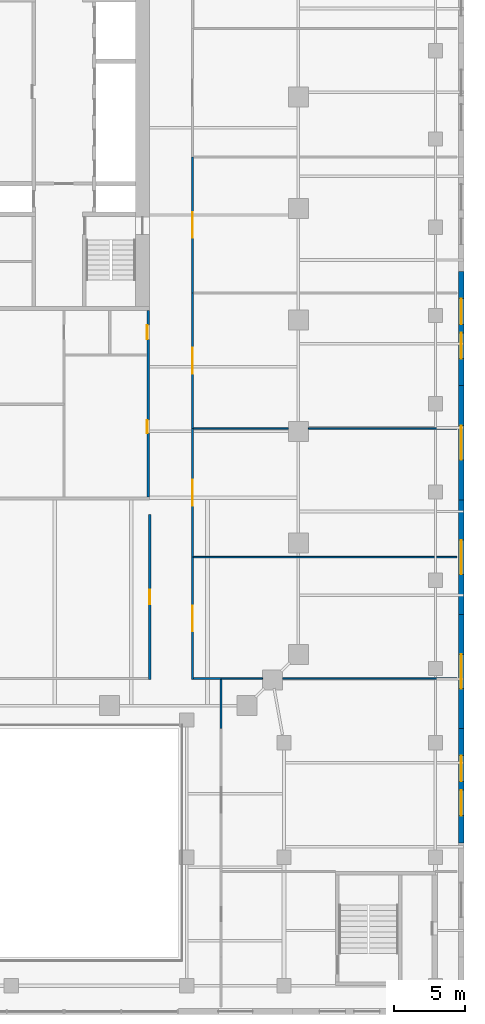
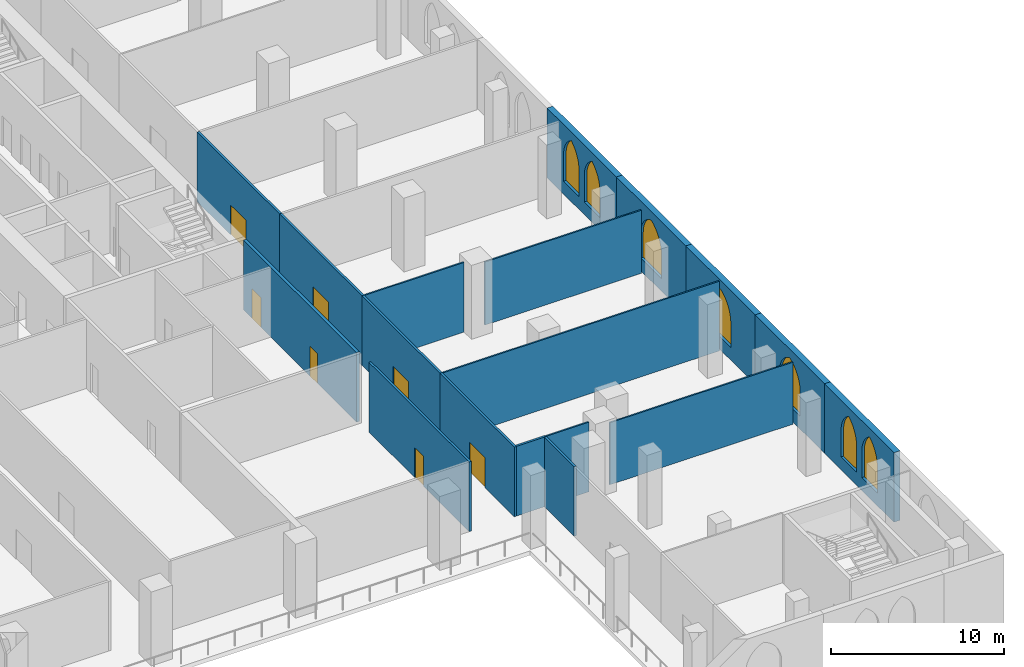
# One storey, part 14 of 22: 18 walls, 7 doors, 7 windows, 14 openings.
"""IFC4 building model written with IfcOpenShell, lengths in metres."""

import ifcopenshell
import ifcopenshell.guid

model = None  # the IFC model being written
_history = None  # IfcOwnerHistory: only IFC2X3 demands one
_inside = {}  # id of a spatial element -> (the spatial element, [elements in it])
_under = {}  # id of a project, library or spatial element -> (it, [spatial elements below it])
_declared = {}  # id of a project -> (the project, [libraries it declares])
_typed = {}  # id of a type object -> (the type object, [elements of that type])
_made_of = {}  # id of a material, layer set ... -> (it, [elements and type objects made of it])


def new_model(schema):
    """Start an empty IFC model of exactly this schema.

    Asked for "IFC4X3", IfcOpenShell would pick the latest addendum, in which some entities
    have other attributes; the version numbers below select the first issue.
    IFC2X3 requires an IfcOwnerHistory on every rooted entity: one is made here for all.
    """
    global model, _history
    if schema == "IFC4X3":
        model = ifcopenshell.file(schema_version=(4, 3, 0, 0))
    else:
        model = ifcopenshell.file(schema=schema)
    _inside.clear()
    _under.clear()
    _declared.clear()
    _typed.clear()
    _made_of.clear()
    _history = None
    if model.schema == "IFC2X3":
        org = make("IfcOrganization", Name="unknown")
        user = make(
            "IfcPersonAndOrganization",
            ThePerson=make("IfcPerson", FamilyName="unknown"),
            TheOrganization=org,
        )
        app = make(
            "IfcApplication",
            ApplicationDeveloper=org,
            Version="unknown",
            ApplicationFullName="unknown",
            ApplicationIdentifier="unknown",
        )
        _history = make(
            "IfcOwnerHistory",
            OwningUser=user,
            OwningApplication=app,
            ChangeAction="ADDED",
            CreationDate=0,
        )
    return model


def make(cls, **values):
    """One entity of the class cls with the attributes given. An attribute that is None is left unset."""
    return model.create_entity(
        cls, **{name: value for name, value in values.items() if value is not None}
    )


def rooted(cls, **values):
    """An entity with a GlobalId (a new one), such as an element, a storey or a relation."""
    return make(cls, GlobalId=ifcopenshell.guid.new(), OwnerHistory=_history, **values)


def si_unit(unit_type, name, prefix=None):
    """IfcSIUnit, for example si_unit("LENGTHUNIT", "METRE", prefix="MILLI")."""
    return make("IfcSIUnit", UnitType=unit_type, Prefix=prefix, Name=name)


def assignment(units):
    """IfcUnitAssignment: the units of a project."""
    return None if units is None else make("IfcUnitAssignment", Units=units)


def point(xyz):
    """IfcCartesianPoint."""
    return None if xyz is None else make("IfcCartesianPoint", Coordinates=xyz)


def direction(xyz):
    """IfcDirection."""
    return None if xyz is None else make("IfcDirection", DirectionRatios=xyz)


def frame(location, z_axis=None, x_axis=None):
    """IfcAxis2Placement3D, a coordinate frame: its origin and axes. An axis left out is left unset."""
    return make(
        "IfcAxis2Placement3D",
        Location=point(location),
        Axis=direction(z_axis),
        RefDirection=direction(x_axis),
    )


def frame_2d(location, x_axis=None):
    """IfcAxis2Placement2D, a coordinate frame in the plane: its origin and x axis."""
    return make(
        "IfcAxis2Placement2D", Location=point(location), RefDirection=direction(x_axis)
    )


def origin():
    """The frame at (0, 0, 0) with its axes left unset."""
    return frame((0.0, 0.0, 0.0))


def place(relative_to, where):
    """IfcLocalPlacement: puts the frame where relative to a parent placement (None: the world)."""
    return make(
        "IfcLocalPlacement", PlacementRelTo=relative_to, RelativePlacement=where
    )


def context(
    kind, dimensions, precision=None, world=None, true_north=None, identifier=None
):
    """IfcGeometricRepresentationContext, for example the 3D "Model" context."""
    return make(
        "IfcGeometricRepresentationContext",
        ContextIdentifier=identifier,
        ContextType=kind,
        CoordinateSpaceDimension=dimensions,
        Precision=precision,
        WorldCoordinateSystem=world,
        TrueNorth=true_north,
    )


def subcontext(parent, identifier, kind, view, scale=None):
    """IfcGeometricRepresentationSubContext, for example "Body" below "Model"."""
    return make(
        "IfcGeometricRepresentationSubContext",
        ContextIdentifier=identifier,
        ContextType=kind,
        ParentContext=parent,
        TargetScale=scale,
        TargetView=view,
    )


def project(units=None, contexts=None):
    """IfcProject with its units and contexts."""
    return rooted(
        "IfcProject",
        Name="project",
        RepresentationContexts=contexts,
        UnitsInContext=assignment(units),
    )


def spatial(cls, under=None, at=None, **own):
    """A site, building, storey or space (cls), placed at a placement, below another one or the project."""
    s = rooted(cls, ObjectPlacement=at, **own)
    if under is not None:
        _under.setdefault(under.id(), (under, []))[1].append(s)
    return s


def polyline(points):
    """IfcPolyline through the points."""
    return make("IfcPolyline", Points=[point(p) for p in points])


def profile(cls, at=None, kind="AREA", **sizes):
    """A parametric profile (cls). Its sizes go by their IFC names, for example OverallWidth=200.0."""
    return make(cls, ProfileType=kind, Position=at, **sizes)


def rectangle(**sizes):
    """IfcRectangleProfileDef."""
    return profile("IfcRectangleProfileDef", **sizes)


def outline(outer, holes=None, kind="AREA"):
    """IfcArbitraryClosedProfileDef: a profile drawn as a closed curve; with holes, ...WithVoids."""
    if holes is None:
        return make("IfcArbitraryClosedProfileDef", ProfileType=kind, OuterCurve=outer)
    return make(
        "IfcArbitraryProfileDefWithVoids",
        ProfileType=kind,
        OuterCurve=outer,
        InnerCurves=holes,
    )


def extrude(swept, where, along, depth):
    """IfcExtrudedAreaSolid: the profile swept, set in the frame where, extruded along a direction by depth."""
    return make(
        "IfcExtrudedAreaSolid",
        SweptArea=swept,
        Position=where,
        ExtrudedDirection=direction(along),
        Depth=depth,
    )


def shape(context_of_items, identifier, shape_type, items):
    """IfcShapeRepresentation: the items that make up one representation, for example the "Body"."""
    return make(
        "IfcShapeRepresentation",
        ContextOfItems=context_of_items,
        RepresentationIdentifier=identifier,
        RepresentationType=shape_type,
        Items=items,
    )


def material(Name=None, Category=None):
    """IfcMaterial."""
    return make("IfcMaterial", Name=Name, Category=Category)


def layer(
    of_material, thickness, ventilated=None, Name=None, Category=None, Priority=None
):
    """IfcMaterialLayer: one layer of a wall or slab, of a material (None: an air gap)."""
    return make(
        "IfcMaterialLayer",
        Material=of_material,
        LayerThickness=thickness,
        IsVentilated=ventilated,
        Name=Name,
        Category=Category,
        Priority=Priority,
    )


def layer_set(layers, Name=None):
    """IfcMaterialLayerSet."""
    return make("IfcMaterialLayerSet", MaterialLayers=layers, LayerSetName=Name)


def made_of(thing, what):
    """Note that an element or type object is made of a material, layer set ...; save() writes the relation."""
    if what is not None:
        _made_of.setdefault(what.id(), (what, []))[1].append(thing)
    return thing


def type_object(cls, material=None, **own):
    """A type object (cls), such as IfcWallType, which elements share."""
    return made_of(rooted(cls, **own), material)


def element(
    cls,
    number,
    at=None,
    inside=None,
    cuts=None,
    type_object=None,
    material=None,
    context=None,
    identifier="Body",
    shape_type=None,
    held_by="IfcProductDefinitionShape",
    body=None,
    shapes=None,
    **own,
):
    """One element of the class cls, such as IfcWall. Its Tag is "e" and its number.

    at: its placement. inside: the storey or other place that contains it. cuts: it is an
    opening in that element (IfcRelVoidsElement). A single representation is given by context,
    identifier, shape_type and body (its items); several are given by shapes. held_by: the class
    of the entity that holds the representations. save() writes the other relations.
    """
    e = rooted(cls, Tag="e%d" % number, ObjectPlacement=at, **own)
    if body is not None:
        shapes = [shape(context, identifier, shape_type, body)]
    if shapes is not None:
        e.Representation = make(held_by, Representations=shapes)
    if inside is not None:
        _inside.setdefault(inside.id(), (inside, []))[1].append(e)
    if cuts is not None:
        rooted(
            "IfcRelVoidsElement", RelatingBuildingElement=cuts, RelatedOpeningElement=e
        )
    if type_object is not None:
        _typed.setdefault(type_object.id(), (type_object, []))[1].append(e)
    return made_of(e, material)


def fill(opening, filler):
    """IfcRelFillsElement: the door or window that sits in an opening."""
    return rooted(
        "IfcRelFillsElement",
        RelatingOpeningElement=opening,
        RelatedBuildingElement=filler,
    )


def aggregate(whole, parts):
    """IfcRelAggregates: a whole, such as a stair, and the parts it consists of."""
    return rooted("IfcRelAggregates", RelatingObject=whole, RelatedObjects=parts)


def save(model, path):
    """Write the relations noted so far, then the file.

    IfcRelAggregates (storeys below a building ...), IfcRelContainedInSpatialStructure (elements
    in a storey), IfcRelDefinesByType, IfcRelAssociatesMaterial and IfcRelDeclares: one each for
    every whole, place, type object, material and project.
    """
    for whole, parts in _under.values():
        aggregate(whole, parts)
    for where, things in _inside.values():
        rooted(
            "IfcRelContainedInSpatialStructure",
            RelatedElements=things,
            RelatingStructure=where,
        )
    for kind, things in _typed.values():
        rooted("IfcRelDefinesByType", RelatedObjects=things, RelatingType=kind)
    for what, things in _made_of.values():
        rooted("IfcRelAssociatesMaterial", RelatedObjects=things, RelatingMaterial=what)
    for by, libraries in _declared.values():
        rooted("IfcRelDeclares", RelatingContext=by, RelatedDefinitions=libraries)
    model.write(path)


model = new_model("IFC4")

# Units and contexts
model_context = context("Model", 3, precision=1e-05, world=origin(), true_north=direction((0.0, 1.0)))
body_context = subcontext(model_context, "Body", "Model", "MODEL_VIEW")
ifc_project = project(units=[si_unit("LENGTHUNIT", "METRE"), si_unit("AREAUNIT", "SQUARE_METRE"), si_unit("VOLUMEUNIT", "CUBIC_METRE"), si_unit("PLANEANGLEUNIT", "RADIAN"), si_unit("MASSUNIT", "GRAM", prefix="KILO")], contexts=[model_context])

# Site, building, storey
site_placement = place(None, origin())
site = spatial("IfcSite", under=ifc_project, at=site_placement, CompositionType="ELEMENT")
building_placement = place(site_placement, origin())
building = spatial("IfcBuilding", under=site, at=building_placement, Name="Ogive Exchange Tower", CompositionType="ELEMENT")
storey_placement = place(building_placement, frame((0.0, 0.0, 14.0)))
storey = spatial("IfcBuildingStorey", under=building, at=storey_placement, Name="L02", CompositionType="ELEMENT", Elevation=14.0)

# Wall
ifc_material_1 = material(Name="Fire partition EI 60 150")
ifc_layer_1 = layer(ifc_material_1, 0.14990234375)
ifc_layer_set_1 = layer_set([ifc_layer_1], Name="Fire partition EI 60 150")
wall_type_1 = type_object("IfcWallType", Name="Fire partition EI 60 150", PredefinedType="PARTITIONING", material=ifc_layer_set_1)
wall_1_placement = place(storey_placement, frame((25.074951171875, -28.5, 0.0), z_axis=(0.0, 0.0, 1.0), x_axis=(1.0, 0.0, 0.0)))
element("IfcWall", 1, at=wall_1_placement, inside=storey, type_object=wall_type_1, Name="L02-PWL-012", PredefinedType="PARTITIONING", context=body_context, shape_type="SweptSolid", body=[
    extrude(rectangle(XDim=1.925048828125, YDim=0.14990234375, at=frame_2d((0.96240234375, 0.0))), origin(), (0.0, 0.0, 1.0), 4.89990234375),
])

# Wall, opening, door
wall_2_placement = place(storey_placement, frame((22.0, -28.574951171875, 0.0), z_axis=(0.0, 0.0, 1.0), x_axis=(0.0, 1.0, 0.0)))
wall_2 = element("IfcWall", 2, at=wall_2_placement, inside=storey, type_object=wall_type_1, Name="L02-PWL-053", PredefinedType="PARTITIONING", context=body_context, shape_type="SweptSolid", body=[
    extrude(rectangle(XDim=11.574951171875, YDim=0.14990234375, at=frame_2d((5.78759765625, 0.0))), origin(), (0.0, 0.0, 1.0), 4.89990234375),
])
opening_1_placement = place(wall_2_placement, frame((5.28759765625, 0.0, 0.0)))
opening_1 = element("IfcOpeningElement", 3, at=opening_1_placement, cuts=wall_2, Name="Opening L02-I19", PredefinedType="OPENING", context=body_context, shape_type="SweptSolid", body=[
    extrude(rectangle(XDim=1.0, YDim=2.10009765625, at=frame_2d((0.5, 1.050048828125))), frame((0.0, 0.0849609375, 0.0), z_axis=(0.0, -1.0, 0.0), x_axis=(1.0, 0.0, 0.0)), (0.0, 0.0, 1.0), 0.169921875),
])
ifc_material_2 = material(Name="Fire door FD 30S 1000 x 2100")
door_type_1 = type_object("IfcDoorType", Name="Fire door FD 30S 1000 x 2100", OperationType="NOTDEFINED", PredefinedType="DOOR", material=ifc_material_2)
door_1_placement = place(opening_1_placement, origin())
door_1 = element("IfcDoor", 4, at=door_1_placement, inside=storey, type_object=door_type_1, Name="L02-IDR-019", ObjectType="DT3", OperationType="SINGLE_SWING_RIGHT", OverallHeight=2.10009765625, OverallWidth=1.0, PredefinedType="DOOR", context=body_context, shape_type="SweptSolid", body=[
    extrude(rectangle(XDim=1.0, YDim=2.10009765625, at=frame_2d((0.5, 1.050048828125))), frame((0.0, 0.02490234375, 0.0), z_axis=(0.0, -1.0, 0.0), x_axis=(1.0, 0.0, 0.0)), (0.0, 0.0, 1.0), 0.050048828125),
])
fill(opening_1, door_1)

wall_3_placement = place(storey_placement, frame((25.0, -28.574951171875, 0.0), z_axis=(0.0, 0.0, 1.0), x_axis=(0.0, 1.0, 0.0)))
wall_3 = element("IfcWall", 5, at=wall_3_placement, inside=storey, type_object=wall_type_1, Name="L02-PWL-054", PredefinedType="PARTITIONING", context=body_context, shape_type="SweptSolid", body=[
    extrude(rectangle(XDim=8.574951171875, YDim=0.14990234375, at=frame_2d((4.28759765625, 0.0))), origin(), (0.0, 0.0, 1.0), 4.89990234375),
])
opening_2_placement = place(wall_3_placement, frame((3.387451171875, 0.0, 0.0)))
opening_2 = element("IfcOpeningElement", 6, at=opening_2_placement, cuts=wall_3, Name="Opening L02-I08", PredefinedType="OPENING", context=body_context, shape_type="SweptSolid", body=[
    extrude(rectangle(XDim=1.800048828125, YDim=2.10009765625, at=frame_2d((0.89990234375, 1.050048828125))), frame((0.0, 0.0849609375, 0.0), z_axis=(0.0, -1.0, 0.0), x_axis=(1.0, 0.0, 0.0)), (0.0, 0.0, 1.0), 0.169921875),
])
ifc_material_3 = material(Name="Fire door FD 30S 1800 x 2100")
door_type_2 = type_object("IfcDoorType", Name="Fire door FD 30S 1800 x 2100", OperationType="DOUBLE_DOOR_SINGLE_SWING", PredefinedType="DOOR", material=ifc_material_3)
door_2_placement = place(opening_2_placement, frame((1.800048828125, 0.0, 0.0), z_axis=(0.0, 0.0, 1.0), x_axis=(-1.0, 0.0, 0.0)))
door_2 = element("IfcDoor", 7, at=door_2_placement, inside=storey, type_object=door_type_2, Name="L02-IDR-008", ObjectType="DT4", OperationType="SINGLE_SWING_RIGHT", OverallHeight=2.10009765625, OverallWidth=1.800048828125, PredefinedType="DOOR", context=body_context, shape_type="SweptSolid", body=[
    extrude(rectangle(XDim=1.800048828125, YDim=2.10009765625, at=frame_2d((0.89990234375, 1.050048828125))), frame((0.0, 0.02490234375, 0.0), z_axis=(0.0, -1.0, 0.0), x_axis=(1.0, 0.0, 0.0)), (0.0, 0.0, 1.0), 0.050048828125),
])
fill(opening_2, door_2)

wall_4_placement = place(storey_placement, frame((25.0, -20.0, 0.0), z_axis=(0.0, 0.0, 1.0), x_axis=(0.0, 1.0, 0.0)))
wall_4 = element("IfcWall", 8, at=wall_4_placement, inside=storey, type_object=wall_type_1, Name="L02-PWL-055", PredefinedType="PARTITIONING", context=body_context, shape_type="SweptSolid", body=[
    extrude(rectangle(XDim=9.0, YDim=0.14990234375, at=frame_2d((4.5, 0.0))), origin(), (0.0, 0.0, 1.0), 4.89990234375),
])
opening_3_placement = place(wall_4_placement, frame((3.60009765625, 0.0, 0.0)))
opening_3 = element("IfcOpeningElement", 9, at=opening_3_placement, cuts=wall_4, Name="Opening L02-I09", PredefinedType="OPENING", context=body_context, shape_type="SweptSolid", body=[
    extrude(rectangle(XDim=1.800048828125, YDim=2.10009765625, at=frame_2d((0.89990234375, 1.050048828125))), frame((0.0, 0.0849609375, 0.0), z_axis=(0.0, -1.0, 0.0), x_axis=(1.0, 0.0, 0.0)), (0.0, 0.0, 1.0), 0.169921875),
])
door_3_placement = place(opening_3_placement, frame((1.800048828125, 0.0, 0.0), z_axis=(0.0, 0.0, 1.0), x_axis=(-1.0, 0.0, 0.0)))
door_3 = element("IfcDoor", 10, at=door_3_placement, inside=storey, type_object=door_type_2, Name="L02-IDR-009", ObjectType="DT4", OperationType="SINGLE_SWING_RIGHT", OverallHeight=2.10009765625, OverallWidth=1.800048828125, PredefinedType="DOOR", context=body_context, shape_type="SweptSolid", body=[
    extrude(rectangle(XDim=1.800048828125, YDim=2.10009765625, at=frame_2d((0.89990234375, 1.050048828125))), frame((0.0, 0.02490234375, 0.0), z_axis=(0.0, -1.0, 0.0), x_axis=(1.0, 0.0, 0.0)), (0.0, 0.0, 1.0), 0.050048828125),
])
fill(opening_3, door_3)

wall_5_placement = place(storey_placement, frame((25.0, -11.0, 0.0), z_axis=(0.0, 0.0, 1.0), x_axis=(0.0, 1.0, 0.0)))
wall_5 = element("IfcWall", 11, at=wall_5_placement, inside=storey, type_object=wall_type_1, Name="L02-PWL-056", PredefinedType="PARTITIONING", context=body_context, shape_type="SweptSolid", body=[
    extrude(rectangle(XDim=9.5, YDim=0.14990234375, at=frame_2d((4.75, 0.0))), origin(), (0.0, 0.0, 1.0), 4.89990234375),
])
opening_4_placement = place(wall_5_placement, frame((3.85009765625, 0.0, 0.0)))
opening_4 = element("IfcOpeningElement", 12, at=opening_4_placement, cuts=wall_5, Name="Opening L02-I10", PredefinedType="OPENING", context=body_context, shape_type="SweptSolid", body=[
    extrude(rectangle(XDim=1.800048828125, YDim=2.10009765625, at=frame_2d((0.89990234375, 1.050048828125))), frame((0.0, 0.0849609375, 0.0), z_axis=(0.0, -1.0, 0.0), x_axis=(1.0, 0.0, 0.0)), (0.0, 0.0, 1.0), 0.169921875),
])
door_4_placement = place(opening_4_placement, frame((1.800048828125, 0.0, 0.0), z_axis=(0.0, 0.0, 1.0), x_axis=(-1.0, 0.0, 0.0)))
door_4 = element("IfcDoor", 13, at=door_4_placement, inside=storey, type_object=door_type_2, Name="L02-IDR-010", ObjectType="DT4", OperationType="SINGLE_SWING_LEFT", OverallHeight=2.10009765625, OverallWidth=1.800048828125, PredefinedType="DOOR", context=body_context, shape_type="SweptSolid", body=[
    extrude(rectangle(XDim=1.800048828125, YDim=2.10009765625, at=frame_2d((0.89990234375, 1.050048828125))), frame((0.0, 0.02490234375, 0.0), z_axis=(0.0, -1.0, 0.0), x_axis=(1.0, 0.0, 0.0)), (0.0, 0.0, 1.0), 0.050048828125),
])
fill(opening_4, door_4)

wall_6_placement = place(storey_placement, frame((25.0, -1.5, 0.0), z_axis=(0.0, 0.0, 1.0), x_axis=(0.0, 1.0, 0.0)))
wall_6 = element("IfcWall", 14, at=wall_6_placement, inside=storey, type_object=wall_type_1, Name="L02-PWL-057", PredefinedType="PARTITIONING", context=body_context, shape_type="SweptSolid", body=[
    extrude(rectangle(XDim=9.5, YDim=0.14990234375, at=frame_2d((4.75, 0.0))), origin(), (0.0, 0.0, 1.0), 4.89990234375),
])
opening_5_placement = place(wall_6_placement, frame((3.85009765625, 0.0, 0.0)))
opening_5 = element("IfcOpeningElement", 15, at=opening_5_placement, cuts=wall_6, Name="Opening L02-I11", PredefinedType="OPENING", context=body_context, shape_type="SweptSolid", body=[
    extrude(rectangle(XDim=1.800048828125, YDim=2.10009765625, at=frame_2d((0.89990234375, 1.050048828125))), frame((0.0, 0.0849609375, 0.0), z_axis=(0.0, -1.0, 0.0), x_axis=(1.0, 0.0, 0.0)), (0.0, 0.0, 1.0), 0.169921875),
])
door_5_placement = place(opening_5_placement, frame((1.800048828125, 0.0, 0.0), z_axis=(0.0, 0.0, 1.0), x_axis=(-1.0, 0.0, 0.0)))
door_5 = element("IfcDoor", 16, at=door_5_placement, inside=storey, type_object=door_type_2, Name="L02-IDR-011", ObjectType="DT4", OperationType="SINGLE_SWING_LEFT", OverallHeight=2.10009765625, OverallWidth=1.800048828125, PredefinedType="DOOR", context=body_context, shape_type="SweptSolid", body=[
    extrude(rectangle(XDim=1.800048828125, YDim=2.10009765625, at=frame_2d((0.89990234375, 1.050048828125))), frame((0.0, 0.02490234375, 0.0), z_axis=(0.0, -1.0, 0.0), x_axis=(1.0, 0.0, 0.0)), (0.0, 0.0, 1.0), 0.050048828125),
])
fill(opening_5, door_5)

# Wall
wall_7_placement = place(storey_placement, frame((27.0, -32.0, 0.0), z_axis=(0.0, 0.0, 1.0), x_axis=(0.0, 1.0, 0.0)))
element("IfcWall", 17, at=wall_7_placement, inside=storey, type_object=wall_type_1, Name="L02-PWL-064", PredefinedType="PARTITIONING", context=body_context, shape_type="SweptSolid", body=[
    extrude(rectangle(XDim=3.425048828125, YDim=0.14990234375, at=frame_2d((1.71240234375, 0.0))), origin(), (0.0, 0.0, 1.0), 4.89990234375),
])

# Wall, openings, windows
ifc_material_4 = material(Name="Precast concrete C40/50", Category="concrete")
ifc_layer_2 = layer(ifc_material_4, 0.39990234375)
ifc_layer_set_2 = layer_set([ifc_layer_2], Name="Limestone-faced wall 400")
wall_type_2 = type_object("IfcWallType", Name="Limestone-faced wall 400", PredefinedType="STANDARD", material=ifc_layer_set_2)
wall_8_placement = place(storey_placement, frame((43.800048828125, -40.0, 0.0), z_axis=(0.0, 0.0, 1.0), x_axis=(0.0, 1.0, 0.0)))
wall_8 = element("IfcWall", 18, at=wall_8_placement, inside=storey, type_object=wall_type_2, Name="Podium wall E3", PredefinedType="STANDARD", context=body_context, shape_type="SweptSolid", body=[
    extrude(rectangle(XDim=8.0, YDim=0.39990234375, at=frame_2d((4.0, 0.0))), origin(), (0.0, 0.0, 1.0), 4.89990234375),
])
opening_6_placement = place(wall_8_placement, frame((1.89990234375, 0.0, 0.89990234375)))
opening_6 = element("IfcOpeningElement", 19, at=opening_6_placement, cuts=wall_8, Name="Opening WQ340", PredefinedType="OPENING", context=body_context, shape_type="SweptSolid", body=[
    extrude(outline(polyline([(0.0, 0.0), (1.800048828125, 0.0), (1.800048828125, 1.841064453125), (1.78466796875, 2.075927734375), (1.73876953125, 2.306884765625), (1.6630859375, 2.52978515625), (1.558837890625, 2.740966796875), (1.427978515625, 2.936767578125), (1.272705078125, 3.11376953125), (1.095703125, 3.26904296875), (0.89990234375, 3.39990234375), (0.704345703125, 3.26904296875), (0.52734375, 3.11376953125), (0.3720703125, 2.936767578125), (0.2412109375, 2.740966796875), (0.136962890625, 2.52978515625), (0.061279296875, 2.306884765625), (0.015380859375, 2.075927734375), (0.0, 1.841064453125), (0.0, 0.0)])), frame((0.0, 0.2099609375, 0.0), z_axis=(0.0, -1.0, 0.0), x_axis=(1.0, 0.0, 0.0)), (0.0, 0.0, 1.0), 0.419921875),
])
opening_7_placement = place(wall_8_placement, frame((4.300048828125, 0.0, 0.89990234375)))
opening_7 = element("IfcOpeningElement", 20, at=opening_7_placement, cuts=wall_8, Name="Opening WQ340", PredefinedType="OPENING", context=body_context, shape_type="SweptSolid", body=[
    extrude(outline(polyline([(0.0, 0.0), (1.800048828125, 0.0), (1.800048828125, 1.841064453125), (1.78466796875, 2.075927734375), (1.73876953125, 2.306884765625), (1.6630859375, 2.52978515625), (1.558837890625, 2.740966796875), (1.427978515625, 2.936767578125), (1.272705078125, 3.11376953125), (1.095703125, 3.26904296875), (0.89990234375, 3.39990234375), (0.704345703125, 3.26904296875), (0.52734375, 3.11376953125), (0.3720703125, 2.936767578125), (0.2412109375, 2.740966796875), (0.136962890625, 2.52978515625), (0.061279296875, 2.306884765625), (0.015380859375, 2.075927734375), (0.0, 1.841064453125), (0.0, 0.0)])), frame((0.0, 0.2099609375, 0.0), z_axis=(0.0, -1.0, 0.0), x_axis=(1.0, 0.0, 0.0)), (0.0, 0.0, 1.0), 0.419921875),
])
ifc_material_5 = material(Name="Clear glass in bronze frame", Category="glass")
window_type_1 = type_object("IfcWindowType", Name="Podium paired lancet 1800 x 3400", PartitioningType="DOUBLE_PANEL_VERTICAL", PredefinedType="WINDOW", material=ifc_material_5)
window_1_placement = place(opening_6_placement, origin())
window_1 = element("IfcWindow", 21, at=window_1_placement, inside=storey, type_object=window_type_1, Name="Podium paired lancet E3.1", OverallHeight=3.39990234375, OverallWidth=1.800048828125, PartitioningType="DOUBLE_PANEL_VERTICAL", PredefinedType="WINDOW", context=body_context, shape_type="SweptSolid", body=[
    extrude(outline(polyline([(0.0, 0.0), (1.800048828125, 0.0), (1.800048828125, 1.841064453125), (1.78466796875, 2.075927734375), (1.73876953125, 2.306884765625), (1.6630859375, 2.52978515625), (1.558837890625, 2.740966796875), (1.427978515625, 2.936767578125), (1.272705078125, 3.11376953125), (1.095703125, 3.26904296875), (0.89990234375, 3.39990234375), (0.704345703125, 3.26904296875), (0.52734375, 3.11376953125), (0.3720703125, 2.936767578125), (0.2412109375, 2.740966796875), (0.136962890625, 2.52978515625), (0.061279296875, 2.306884765625), (0.015380859375, 2.075927734375), (0.0, 1.841064453125), (0.0, 0.0)])), frame((0.0, 0.030029296875, 0.0), z_axis=(0.0, -1.0, 0.0), x_axis=(1.0, 0.0, 0.0)), (0.0, 0.0, 1.0), 0.06005859375),
])
fill(opening_6, window_1)
window_2_placement = place(opening_7_placement, origin())
window_2 = element("IfcWindow", 22, at=window_2_placement, inside=storey, type_object=window_type_1, Name="Podium paired lancet E3.2", OverallHeight=3.39990234375, OverallWidth=1.800048828125, PartitioningType="DOUBLE_PANEL_VERTICAL", PredefinedType="WINDOW", context=body_context, shape_type="SweptSolid", body=[
    extrude(outline(polyline([(0.0, 0.0), (1.800048828125, 0.0), (1.800048828125, 1.841064453125), (1.78466796875, 2.075927734375), (1.73876953125, 2.306884765625), (1.6630859375, 2.52978515625), (1.558837890625, 2.740966796875), (1.427978515625, 2.936767578125), (1.272705078125, 3.11376953125), (1.095703125, 3.26904296875), (0.89990234375, 3.39990234375), (0.704345703125, 3.26904296875), (0.52734375, 3.11376953125), (0.3720703125, 2.936767578125), (0.2412109375, 2.740966796875), (0.136962890625, 2.52978515625), (0.061279296875, 2.306884765625), (0.015380859375, 2.075927734375), (0.0, 1.841064453125), (0.0, 0.0)])), frame((0.0, 0.030029296875, 0.0), z_axis=(0.0, -1.0, 0.0), x_axis=(1.0, 0.0, 0.0)), (0.0, 0.0, 1.0), 0.06005859375),
])
fill(opening_7, window_2)

# Wall, opening, window
wall_9_placement = place(storey_placement, frame((43.800048828125, -32.0, 0.0), z_axis=(0.0, 0.0, 1.0), x_axis=(0.0, 1.0, 0.0)))
wall_9 = element("IfcWall", 23, at=wall_9_placement, inside=storey, type_object=wall_type_2, Name="Podium wall E4", PredefinedType="STANDARD", context=body_context, shape_type="SweptSolid", body=[
    extrude(rectangle(XDim=8.0, YDim=0.39990234375, at=frame_2d((4.0, 0.0))), origin(), (0.0, 0.0, 1.0), 4.89990234375),
])
opening_8_placement = place(wall_9_placement, frame((2.800048828125, 0.0, 0.89990234375)))
opening_8 = element("IfcOpeningElement", 24, at=opening_8_placement, cuts=wall_9, Name="Opening WP340", PredefinedType="OPENING", context=body_context, shape_type="SweptSolid", body=[
    extrude(outline(polyline([(0.0, 0.0), (2.39990234375, 0.0), (2.39990234375, 1.699951171875), (2.378662109375, 1.97607421875), (2.3154296875, 2.24560546875), (2.211669921875, 2.50244140625), (2.069580078125, 2.740234375), (1.89306640625, 2.95361328125), (1.685791015625, 3.137451171875), (1.453125, 3.287353515625), (1.199951171875, 3.39990234375), (0.94677734375, 3.287353515625), (0.714111328125, 3.137451171875), (0.5068359375, 2.95361328125), (0.330322265625, 2.740234375), (0.188232421875, 2.50244140625), (0.08447265625, 2.24560546875), (0.021240234375, 1.97607421875), (0.0, 1.699951171875), (0.0, 0.0)])), frame((0.0, 0.2099609375, 0.0), z_axis=(0.0, -1.0, 0.0), x_axis=(1.0, 0.0, 0.0)), (0.0, 0.0, 1.0), 0.419921875),
])
window_type_2 = type_object("IfcWindowType", Name="Podium lancet window 2400 x 3400", PartitioningType="DOUBLE_PANEL_VERTICAL", PredefinedType="WINDOW", material=ifc_material_5)
window_3_placement = place(opening_8_placement, origin())
window_3 = element("IfcWindow", 25, at=window_3_placement, inside=storey, type_object=window_type_2, Name="Podium window E4", OverallHeight=3.39990234375, OverallWidth=2.39990234375, PartitioningType="DOUBLE_PANEL_VERTICAL", PredefinedType="WINDOW", context=body_context, shape_type="SweptSolid", body=[
    extrude(outline(polyline([(0.0, 0.0), (2.39990234375, 0.0), (2.39990234375, 1.699951171875), (2.378662109375, 1.97607421875), (2.3154296875, 2.24560546875), (2.211669921875, 2.50244140625), (2.069580078125, 2.740234375), (1.89306640625, 2.95361328125), (1.685791015625, 3.137451171875), (1.453125, 3.287353515625), (1.199951171875, 3.39990234375), (0.94677734375, 3.287353515625), (0.714111328125, 3.137451171875), (0.5068359375, 2.95361328125), (0.330322265625, 2.740234375), (0.188232421875, 2.50244140625), (0.08447265625, 2.24560546875), (0.021240234375, 1.97607421875), (0.0, 1.699951171875), (0.0, 0.0)])), frame((0.0, 0.030029296875, 0.0), z_axis=(0.0, -1.0, 0.0), x_axis=(1.0, 0.0, 0.0)), (0.0, 0.0, 1.0), 0.06005859375),
])
fill(opening_8, window_3)

wall_10_placement = place(storey_placement, frame((43.800048828125, -24.0, 0.0), z_axis=(0.0, 0.0, 1.0), x_axis=(0.0, 1.0, 0.0)))
wall_10 = element("IfcWall", 26, at=wall_10_placement, inside=storey, type_object=wall_type_2, Name="Podium wall E5", PredefinedType="STANDARD", context=body_context, shape_type="SweptSolid", body=[
    extrude(rectangle(XDim=8.0, YDim=0.39990234375, at=frame_2d((4.0, 0.0))), origin(), (0.0, 0.0, 1.0), 4.89990234375),
])
opening_9_placement = place(wall_10_placement, frame((2.800048828125, 0.0, 0.89990234375)))
opening_9 = element("IfcOpeningElement", 27, at=opening_9_placement, cuts=wall_10, Name="Opening WP340", PredefinedType="OPENING", context=body_context, shape_type="SweptSolid", body=[
    extrude(outline(polyline([(0.0, 0.0), (2.39990234375, 0.0), (2.39990234375, 1.699951171875), (2.378662109375, 1.97607421875), (2.3154296875, 2.24560546875), (2.211669921875, 2.50244140625), (2.069580078125, 2.740234375), (1.89306640625, 2.95361328125), (1.685791015625, 3.137451171875), (1.453125, 3.287353515625), (1.199951171875, 3.39990234375), (0.94677734375, 3.287353515625), (0.714111328125, 3.137451171875), (0.5068359375, 2.95361328125), (0.330322265625, 2.740234375), (0.188232421875, 2.50244140625), (0.08447265625, 2.24560546875), (0.021240234375, 1.97607421875), (0.0, 1.699951171875), (0.0, 0.0)])), frame((0.0, 0.2099609375, 0.0), z_axis=(0.0, -1.0, 0.0), x_axis=(1.0, 0.0, 0.0)), (0.0, 0.0, 1.0), 0.419921875),
])
window_4_placement = place(opening_9_placement, origin())
window_4 = element("IfcWindow", 28, at=window_4_placement, inside=storey, type_object=window_type_2, Name="Podium window E5", OverallHeight=3.39990234375, OverallWidth=2.39990234375, PartitioningType="DOUBLE_PANEL_VERTICAL", PredefinedType="WINDOW", context=body_context, shape_type="SweptSolid", body=[
    extrude(outline(polyline([(0.0, 0.0), (2.39990234375, 0.0), (2.39990234375, 1.699951171875), (2.378662109375, 1.97607421875), (2.3154296875, 2.24560546875), (2.211669921875, 2.50244140625), (2.069580078125, 2.740234375), (1.89306640625, 2.95361328125), (1.685791015625, 3.137451171875), (1.453125, 3.287353515625), (1.199951171875, 3.39990234375), (0.94677734375, 3.287353515625), (0.714111328125, 3.137451171875), (0.5068359375, 2.95361328125), (0.330322265625, 2.740234375), (0.188232421875, 2.50244140625), (0.08447265625, 2.24560546875), (0.021240234375, 1.97607421875), (0.0, 1.699951171875), (0.0, 0.0)])), frame((0.0, 0.030029296875, 0.0), z_axis=(0.0, -1.0, 0.0), x_axis=(1.0, 0.0, 0.0)), (0.0, 0.0, 1.0), 0.06005859375),
])
fill(opening_9, window_4)

wall_11_placement = place(storey_placement, frame((43.800048828125, -16.0, 0.0), z_axis=(0.0, 0.0, 1.0), x_axis=(0.0, 1.0, 0.0)))
wall_11 = element("IfcWall", 29, at=wall_11_placement, inside=storey, type_object=wall_type_2, Name="Podium wall E6", PredefinedType="STANDARD", context=body_context, shape_type="SweptSolid", body=[
    extrude(rectangle(XDim=8.0, YDim=0.39990234375, at=frame_2d((4.0, 0.0))), origin(), (0.0, 0.0, 1.0), 4.89990234375),
])
opening_10_placement = place(wall_11_placement, frame((2.800048828125, 0.0, 0.89990234375)))
opening_10 = element("IfcOpeningElement", 30, at=opening_10_placement, cuts=wall_11, Name="Opening WP340", PredefinedType="OPENING", context=body_context, shape_type="SweptSolid", body=[
    extrude(outline(polyline([(0.0, 0.0), (2.39990234375, 0.0), (2.39990234375, 1.699951171875), (2.378662109375, 1.97607421875), (2.3154296875, 2.24560546875), (2.211669921875, 2.50244140625), (2.069580078125, 2.740234375), (1.89306640625, 2.95361328125), (1.685791015625, 3.137451171875), (1.453125, 3.287353515625), (1.199951171875, 3.39990234375), (0.94677734375, 3.287353515625), (0.714111328125, 3.137451171875), (0.5068359375, 2.95361328125), (0.330322265625, 2.740234375), (0.188232421875, 2.50244140625), (0.08447265625, 2.24560546875), (0.021240234375, 1.97607421875), (0.0, 1.699951171875), (0.0, 0.0)])), frame((0.0, 0.2099609375, 0.0), z_axis=(0.0, -1.0, 0.0), x_axis=(1.0, 0.0, 0.0)), (0.0, 0.0, 1.0), 0.419921875),
])
window_5_placement = place(opening_10_placement, origin())
window_5 = element("IfcWindow", 31, at=window_5_placement, inside=storey, type_object=window_type_2, Name="Podium window E6", OverallHeight=3.39990234375, OverallWidth=2.39990234375, PartitioningType="DOUBLE_PANEL_VERTICAL", PredefinedType="WINDOW", context=body_context, shape_type="SweptSolid", body=[
    extrude(outline(polyline([(0.0, 0.0), (2.39990234375, 0.0), (2.39990234375, 1.699951171875), (2.378662109375, 1.97607421875), (2.3154296875, 2.24560546875), (2.211669921875, 2.50244140625), (2.069580078125, 2.740234375), (1.89306640625, 2.95361328125), (1.685791015625, 3.137451171875), (1.453125, 3.287353515625), (1.199951171875, 3.39990234375), (0.94677734375, 3.287353515625), (0.714111328125, 3.137451171875), (0.5068359375, 2.95361328125), (0.330322265625, 2.740234375), (0.188232421875, 2.50244140625), (0.08447265625, 2.24560546875), (0.021240234375, 1.97607421875), (0.0, 1.699951171875), (0.0, 0.0)])), frame((0.0, 0.030029296875, 0.0), z_axis=(0.0, -1.0, 0.0), x_axis=(1.0, 0.0, 0.0)), (0.0, 0.0, 1.0), 0.06005859375),
])
fill(opening_10, window_5)

# Wall, openings, windows
wall_12_placement = place(storey_placement, frame((43.800048828125, -8.0, 0.0), z_axis=(0.0, 0.0, 1.0), x_axis=(0.0, 1.0, 0.0)))
wall_12 = element("IfcWall", 32, at=wall_12_placement, inside=storey, type_object=wall_type_2, Name="Podium wall E7", PredefinedType="STANDARD", context=body_context, shape_type="SweptSolid", body=[
    extrude(rectangle(XDim=8.0, YDim=0.39990234375, at=frame_2d((4.0, 0.0))), origin(), (0.0, 0.0, 1.0), 4.89990234375),
])
opening_11_placement = place(wall_12_placement, frame((1.89990234375, 0.0, 0.89990234375)))
opening_11 = element("IfcOpeningElement", 33, at=opening_11_placement, cuts=wall_12, Name="Opening WQ340", PredefinedType="OPENING", context=body_context, shape_type="SweptSolid", body=[
    extrude(outline(polyline([(0.0, 0.0), (1.800048828125, 0.0), (1.800048828125, 1.841064453125), (1.78466796875, 2.075927734375), (1.73876953125, 2.306884765625), (1.6630859375, 2.52978515625), (1.558837890625, 2.740966796875), (1.427978515625, 2.936767578125), (1.272705078125, 3.11376953125), (1.095703125, 3.26904296875), (0.89990234375, 3.39990234375), (0.704345703125, 3.26904296875), (0.52734375, 3.11376953125), (0.3720703125, 2.936767578125), (0.2412109375, 2.740966796875), (0.136962890625, 2.52978515625), (0.061279296875, 2.306884765625), (0.015380859375, 2.075927734375), (0.0, 1.841064453125), (0.0, 0.0)])), frame((0.0, 0.2099609375, 0.0), z_axis=(0.0, -1.0, 0.0), x_axis=(1.0, 0.0, 0.0)), (0.0, 0.0, 1.0), 0.419921875),
])
opening_12_placement = place(wall_12_placement, frame((4.300048828125, 0.0, 0.89990234375)))
opening_12 = element("IfcOpeningElement", 34, at=opening_12_placement, cuts=wall_12, Name="Opening WQ340", PredefinedType="OPENING", context=body_context, shape_type="SweptSolid", body=[
    extrude(outline(polyline([(0.0, 0.0), (1.800048828125, 0.0), (1.800048828125, 1.841064453125), (1.78466796875, 2.075927734375), (1.73876953125, 2.306884765625), (1.6630859375, 2.52978515625), (1.558837890625, 2.740966796875), (1.427978515625, 2.936767578125), (1.272705078125, 3.11376953125), (1.095703125, 3.26904296875), (0.89990234375, 3.39990234375), (0.704345703125, 3.26904296875), (0.52734375, 3.11376953125), (0.3720703125, 2.936767578125), (0.2412109375, 2.740966796875), (0.136962890625, 2.52978515625), (0.061279296875, 2.306884765625), (0.015380859375, 2.075927734375), (0.0, 1.841064453125), (0.0, 0.0)])), frame((0.0, 0.2099609375, 0.0), z_axis=(0.0, -1.0, 0.0), x_axis=(1.0, 0.0, 0.0)), (0.0, 0.0, 1.0), 0.419921875),
])
window_6_placement = place(opening_11_placement, origin())
window_6 = element("IfcWindow", 35, at=window_6_placement, inside=storey, type_object=window_type_1, Name="Podium paired lancet E7.1", OverallHeight=3.39990234375, OverallWidth=1.800048828125, PartitioningType="DOUBLE_PANEL_VERTICAL", PredefinedType="WINDOW", context=body_context, shape_type="SweptSolid", body=[
    extrude(outline(polyline([(0.0, 0.0), (1.800048828125, 0.0), (1.800048828125, 1.841064453125), (1.78466796875, 2.075927734375), (1.73876953125, 2.306884765625), (1.6630859375, 2.52978515625), (1.558837890625, 2.740966796875), (1.427978515625, 2.936767578125), (1.272705078125, 3.11376953125), (1.095703125, 3.26904296875), (0.89990234375, 3.39990234375), (0.704345703125, 3.26904296875), (0.52734375, 3.11376953125), (0.3720703125, 2.936767578125), (0.2412109375, 2.740966796875), (0.136962890625, 2.52978515625), (0.061279296875, 2.306884765625), (0.015380859375, 2.075927734375), (0.0, 1.841064453125), (0.0, 0.0)])), frame((0.0, 0.030029296875, 0.0), z_axis=(0.0, -1.0, 0.0), x_axis=(1.0, 0.0, 0.0)), (0.0, 0.0, 1.0), 0.06005859375),
])
fill(opening_11, window_6)
window_7_placement = place(opening_12_placement, origin())
window_7 = element("IfcWindow", 36, at=window_7_placement, inside=storey, type_object=window_type_1, Name="Podium paired lancet E7.2", OverallHeight=3.39990234375, OverallWidth=1.800048828125, PartitioningType="DOUBLE_PANEL_VERTICAL", PredefinedType="WINDOW", context=body_context, shape_type="SweptSolid", body=[
    extrude(outline(polyline([(0.0, 0.0), (1.800048828125, 0.0), (1.800048828125, 1.841064453125), (1.78466796875, 2.075927734375), (1.73876953125, 2.306884765625), (1.6630859375, 2.52978515625), (1.558837890625, 2.740966796875), (1.427978515625, 2.936767578125), (1.272705078125, 3.11376953125), (1.095703125, 3.26904296875), (0.89990234375, 3.39990234375), (0.704345703125, 3.26904296875), (0.52734375, 3.11376953125), (0.3720703125, 2.936767578125), (0.2412109375, 2.740966796875), (0.136962890625, 2.52978515625), (0.061279296875, 2.306884765625), (0.015380859375, 2.075927734375), (0.0, 1.841064453125), (0.0, 0.0)])), frame((0.0, 0.030029296875, 0.0), z_axis=(0.0, -1.0, 0.0), x_axis=(1.0, 0.0, 0.0)), (0.0, 0.0, 1.0), 0.06005859375),
])
fill(opening_12, window_7)

# Walls
ifc_material_6 = material(Name="Partition 100 gypsum")
ifc_layer_3 = layer(ifc_material_6, 0.10009765625)
ifc_layer_set_3 = layer_set([ifc_layer_3], Name="Partition 100 gypsum")
wall_type_3 = type_object("IfcWallType", Name="Partition 100 gypsum", PredefinedType="PARTITIONING", material=ifc_layer_set_3)
wall_13_placement = place(storey_placement, frame((27.0, -28.5, 0.0), z_axis=(0.0, 0.0, 1.0), x_axis=(1.0, 0.0, 0.0)))
element("IfcWall", 37, at=wall_13_placement, inside=storey, type_object=wall_type_3, Name="L02-PWL-013", PredefinedType="PARTITIONING", context=body_context, shape_type="SweptSolid", body=[
    extrude(rectangle(XDim=2.89990234375, YDim=0.10009765625, at=frame_2d((1.449951171875, 0.0))), origin(), (0.0, 0.0, 1.0), 4.89990234375),
])
wall_14_placement = place(storey_placement, frame((31.300048828125, -28.5, 0.0), z_axis=(0.0, 0.0, 1.0), x_axis=(1.0, 0.0, 0.0)))
element("IfcWall", 38, at=wall_14_placement, inside=storey, type_object=wall_type_3, Name="L02-PWL-014", PredefinedType="PARTITIONING", context=body_context, shape_type="SweptSolid", body=[
    extrude(rectangle(XDim=12.199951171875, YDim=0.10009765625, at=frame_2d((6.10009765625, 0.0))), origin(), (0.0, 0.0, 1.0), 4.364013671875),
])
wall_15_placement = place(storey_placement, frame((25.074951171875, -20.0, 0.0), z_axis=(0.0, 0.0, 1.0), x_axis=(1.0, 0.0, 0.0)))
element("IfcWall", 39, at=wall_15_placement, inside=storey, type_object=wall_type_3, Name="L02-PWL-015", PredefinedType="PARTITIONING", context=body_context, shape_type="SweptSolid", body=[
    extrude(rectangle(XDim=18.425048828125, YDim=0.10009765625, at=frame_2d((9.21240234375, 0.0))), origin(), (0.0, 0.0, 1.0), 4.89990234375),
])
wall_16_placement = place(storey_placement, frame((25.074951171875, -11.0, 0.0), z_axis=(0.0, 0.0, 1.0), x_axis=(1.0, 0.0, 0.0)))
element("IfcWall", 40, at=wall_16_placement, inside=storey, type_object=wall_type_3, Name="L02-PWL-017", PredefinedType="PARTITIONING", context=body_context, shape_type="SweptSolid", body=[
    extrude(rectangle(XDim=6.625, YDim=0.10009765625, at=frame_2d((3.3125, 0.0))), origin(), (0.0, 0.0, 1.0), 4.89990234375),
])
wall_17_placement = place(storey_placement, frame((33.10009765625, -11.0, 0.0), z_axis=(0.0, 0.0, 1.0), x_axis=(1.0, 0.0, 0.0)))
element("IfcWall", 41, at=wall_17_placement, inside=storey, type_object=wall_type_3, Name="L02-PWL-018", PredefinedType="PARTITIONING", context=body_context, shape_type="SweptSolid", body=[
    extrude(rectangle(XDim=10.39990234375, YDim=0.10009765625, at=frame_2d((5.199951171875, 0.0))), origin(), (0.0, 0.0, 1.0), 4.443115234375),
])

# Wall, openings, doors
ifc_material_7 = material(Name="Concrete C70/85", Category="concrete")
ifc_layer_4 = layer(ifc_material_7, 0.199951171875)
ifc_layer_set_4 = layer_set([ifc_layer_4], Name="RC core wall 200 C70/85")
wall_type_4 = type_object("IfcWallType", Name="RC core wall 200 C70/85", PredefinedType="SHEAR", material=ifc_layer_set_4)
wall_18_placement = place(storey_placement, frame((21.89990234375, -15.800048828125, 0.0), z_axis=(0.0, 0.0, 1.0), x_axis=(0.0, 1.0, 0.0)))
wall_18 = element("IfcWall", 42, at=wall_18_placement, inside=storey, type_object=wall_type_4, Name="E annex S outer wall", PredefinedType="SHEAR", context=body_context, shape_type="SweptSolid", body=[
    extrude(rectangle(XDim=13.050048828125, YDim=0.199951171875, at=frame_2d((6.52490234375, 0.0))), origin(), (0.0, 0.0, 1.0), 4.89990234375),
])
opening_13_placement = place(wall_18_placement, frame((4.487548828125, 0.0, 0.0)))
opening_13 = element("IfcOpeningElement", 43, at=opening_13_placement, cuts=wall_18, Name="Opening L02-C39", PredefinedType="OPENING", context=body_context, shape_type="SweptSolid", body=[
    extrude(rectangle(XDim=0.89990234375, YDim=2.10009765625, at=frame_2d((0.449951171875, 1.050048828125))), frame((0.0, 0.10986328125, 0.0), z_axis=(0.0, -1.0, 0.0), x_axis=(1.0, 0.0, 0.0)), (0.0, 0.0, 1.0), 0.219970703125),
])
opening_14_placement = place(wall_18_placement, frame((11.03759765625, 0.0, 0.0)))
opening_14 = element("IfcOpeningElement", 44, at=opening_14_placement, cuts=wall_18, Name="Opening L02-C40", PredefinedType="OPENING", context=body_context, shape_type="SweptSolid", body=[
    extrude(rectangle(XDim=1.0, YDim=2.10009765625, at=frame_2d((0.5, 1.050048828125))), frame((0.0, 0.10986328125, 0.0), z_axis=(0.0, -1.0, 0.0), x_axis=(1.0, 0.0, 0.0)), (0.0, 0.0, 1.0), 0.219970703125),
])
ifc_material_8 = material(Name="Timber fire door", Category="wood")
door_type_3 = type_object("IfcDoorType", Name="Accessible WC door FD30S 1000 x 2100", OperationType="NOTDEFINED", PredefinedType="DOOR", material=ifc_material_8)
door_6_placement = place(opening_14_placement, origin())
door_6 = element("IfcDoor", 45, at=door_6_placement, inside=storey, type_object=door_type_3, Name="Accessible WC door", ObjectType="CD7", OperationType="SINGLE_SWING_LEFT", OverallHeight=2.10009765625, OverallWidth=1.0, PredefinedType="DOOR", context=body_context, shape_type="SweptSolid", body=[
    extrude(rectangle(XDim=1.0, YDim=2.10009765625, at=frame_2d((0.5, 1.050048828125))), frame((0.0, 0.10009765625, 0.0), z_axis=(0.0, -1.0, 0.0), x_axis=(1.0, 0.0, 0.0)), (0.0, 0.0, 1.0), 0.050048828125),
])
fill(opening_14, door_6)
ifc_material_9 = material(Name="Steel fire door", Category="steel")
door_type_4 = type_object("IfcDoorType", Name="Riser door FD60 900 x 2100", OperationType="NOTDEFINED", PredefinedType="DOOR", material=ifc_material_9)
door_7_placement = place(opening_13_placement, origin())
door_7 = element("IfcDoor", 46, at=door_7_placement, inside=storey, type_object=door_type_4, Name="Riser door", ObjectType="CD2", OperationType="SINGLE_SWING_RIGHT", OverallHeight=2.10009765625, OverallWidth=0.89990234375, PredefinedType="DOOR", context=body_context, shape_type="SweptSolid", body=[
    extrude(rectangle(XDim=0.89990234375, YDim=2.10009765625, at=frame_2d((0.449951171875, 1.050048828125))), frame((0.0, 0.10009765625, 0.0), z_axis=(0.0, -1.0, 0.0), x_axis=(1.0, 0.0, 0.0)), (0.0, 0.0, 1.0), 0.050048828125),
])
fill(opening_13, door_7)

save(model, "model.ifc")
